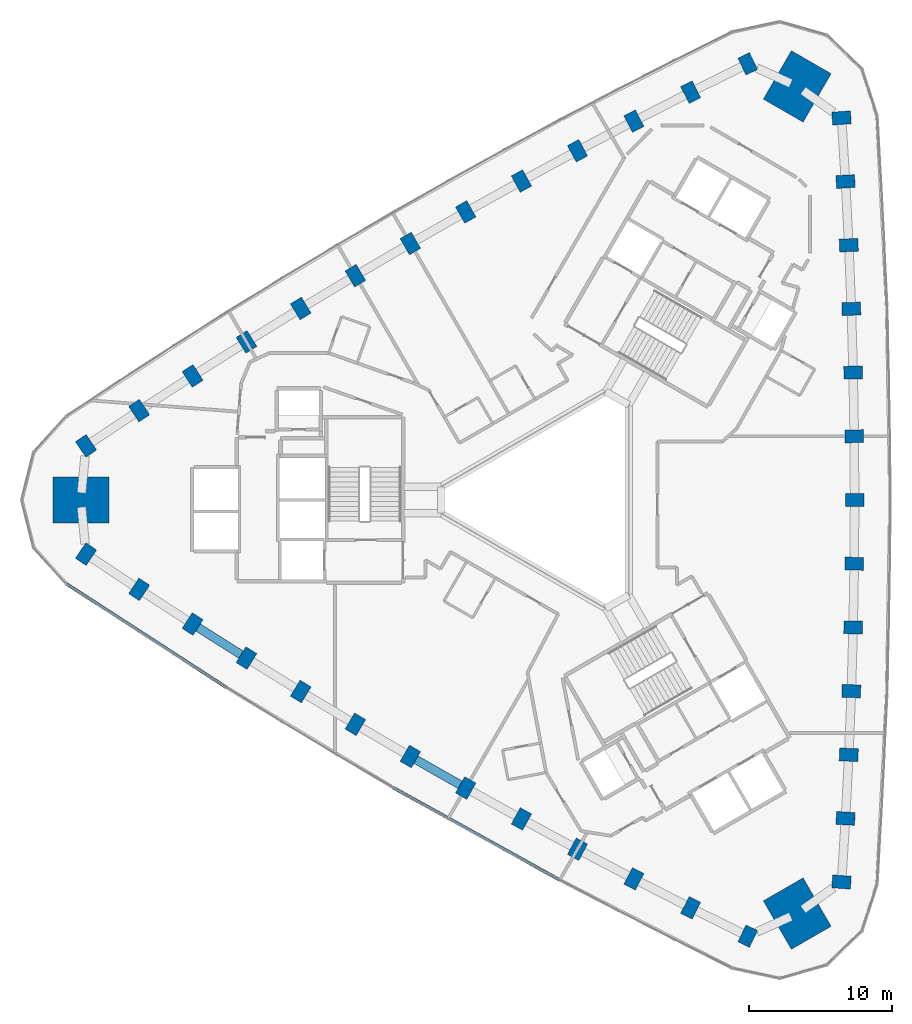
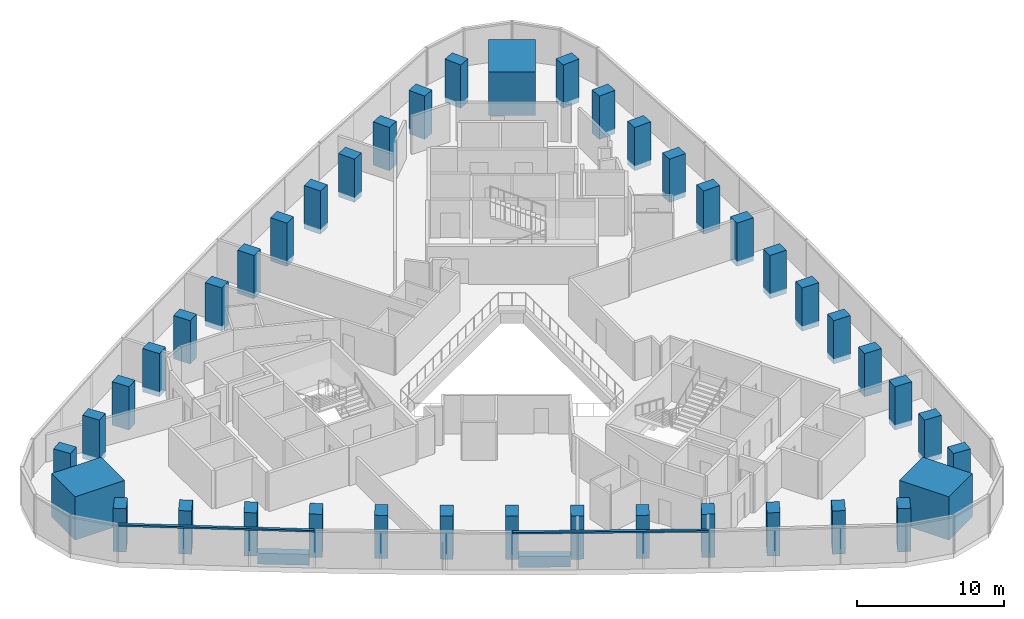
# One storey, part 1 of 12: 42 columns, 2 beams, 2 members, 1 element without a shape of its own.
"""IFC4 building model written with IfcOpenShell, lengths in metres."""

from ifc_helpers import new_model, si_unit, direction, frame, origin, origin_2d, place, context, subcontext, project, spatial, rectangle, extrude, material, material_profile, profile_set, type_object, element, aggregate, save


model = new_model("IFC4")

# Units and contexts
model_context = context("Model", 3, precision=1e-05, world=origin(), true_north=direction((0.0, 1.0)))
body_context = subcontext(model_context, "Body", "Model", "MODEL_VIEW")
ifc_project = project(units=[si_unit("LENGTHUNIT", "METRE"), si_unit("AREAUNIT", "SQUARE_METRE"), si_unit("VOLUMEUNIT", "CUBIC_METRE"), si_unit("PLANEANGLEUNIT", "RADIAN"), si_unit("MASSUNIT", "GRAM", prefix="KILO")], contexts=[model_context])

# Site, building, storey
site_placement = place(None, origin())
site = spatial("IfcSite", under=ifc_project, at=site_placement, CompositionType="ELEMENT")
building_placement = place(site_placement, origin())
building = spatial("IfcBuilding", under=site, at=building_placement, Name="Tamra Quay Hotel Tower", CompositionType="ELEMENT")
storey_placement = place(building_placement, frame((0.0, 0.0, 104.60009765625)))
storey = spatial("IfcBuildingStorey", under=building, at=storey_placement, Name="L25", CompositionType="ELEMENT", Elevation=104.60009765625)

# Columns
ifc_material_1 = material(Name="Concrete M70", Category="concrete")
ifc_material_profile_1 = material_profile(ifc_material_1, rectangle(XDim=1.300048828125, YDim=0.89990234375, at=origin_2d()), Name="COLUMN RC 900x1300 Z2")
ifc_profile_set_1 = profile_set([ifc_material_profile_1], Name="Concrete M70")
column_type_1 = type_object("IfcColumnType", Name="COLUMN RC 900x1300 Z2", PredefinedType="COLUMN", material=ifc_profile_set_1)
for number, where, z_axis, x_axis, name in (
    (1, (19.746337890625, -26.648681640625, -0.425048828125), (0.0, 0.0, 1.0), (-0.997682497858, 0.068041409955, 0.0), "COL-C2E01-L25"),
    (2, (20.02490234375, -22.212158203125, -0.425048828125), (0.0, 0.0, 1.0), (-0.998368034899, 0.057107502941, 0.0), "COL-C2E02-L25"),
    (3, (20.2529296875, -17.773193359375, -0.425048828125), (0.0, 0.0, 1.0), (-0.99895467426, 0.04571169187, 0.0), "COL-C2E03-L25"),
    (4, (20.430419921875, -13.331787109375, -0.425048828125), (0.0, 0.0, 1.0), (-0.999411600314, 0.034299462929, 0.0), "COL-C2E04-L25"),
    (5, (20.557373046875, -8.888916015625, -0.425048828125), (0.0, 0.0, 1.0), (-0.999738355025, 0.022874035338, 0.0), "COL-C2E05-L25"),
    (6, (20.633544921875, -4.44482421875, -0.425048828125), (0.0, 0.0, 1.0), (-0.999934576635, 0.01143863846, 0.0), "COL-C2E06-L25"),
    (7, (20.658935546875, 0.0, -0.425048828125), (0.0, 0.0, 1.0), (1.0, 0.0, 0.0), "COL-C2E07-L25"),
    (8, (20.633544921875, 4.44482421875, -0.425048828125), (0.0, 0.0, 1.0), (0.999934576635, 0.01143863846, 0.0), "COL-C2E08-L25"),
    (9, (20.557373046875, 8.888916015625, -0.425048828125), (0.0, 0.0, 1.0), (0.999738355025, 0.022874035338, 0.0), "COL-C2E09-L25"),
    (10, (20.430419921875, 13.331787109375, -0.425048828125), (0.0, 0.0, 1.0), (0.999411600314, 0.034299462929, 0.0), "COL-C2E10-L25"),
    (11, (20.2529296875, 17.773193359375, -0.425048828125), (0.0, 0.0, 1.0), (0.99895467426, 0.04571169187, 0.0), "COL-C2E11-L25"),
    (12, (20.02490234375, 22.212158203125, -0.425048828125), (0.0, 0.0, 1.0), (0.998368034899, 0.057107502941, 0.0), "COL-C2E12-L25"),
    (13, (19.746337890625, 26.648681640625, -0.425048828125), (0.0, 0.0, 1.0), (0.997682497858, 0.068041409955, 0.0), "COL-C2E13-L25"),
    (14, (13.205078125, 30.425048828125, -0.425048828125), (0.0, 0.0, 1.0), (-0.439915659398, 0.898039093033, 0.0), "COL-C2NW01-L25"),
    (15, (9.223876953125, 28.4482421875, -0.425048828125), (0.0, 0.0, 1.0), (-0.449727469156, 0.893165832019, 0.0), "COL-C2NW02-L25"),
    (16, (5.265625, 26.42626953125, -0.425048828125), (0.0, 0.0, 1.0), (-0.459889850721, 0.887975971074, 0.0), "COL-C2NW03-L25"),
    (17, (1.33056640625, 24.359375, -0.425048828125), (0.0, 0.0, 1.0), (-0.470001593924, 0.882665566174, 0.0), "COL-C2NW04-L25"),
    (18, (-2.580810546875, 22.247802734375, -0.425048828125), (0.0, 0.0, 1.0), (-0.480059681822, 0.877235830258, 0.0), "COL-C2NW05-L25"),
    (19, (-6.467529296875, 20.091552734375, -0.425048828125), (0.0, 0.0, 1.0), (-0.490061136827, 0.871688064718, 0.0), "COL-C2NW06-L25"),
    (20, (-10.32958984375, 17.89111328125, -0.425048828125), (0.0, 0.0, 1.0), (-0.5, 0.866025403784, 0.0), "COL-C2NW07-L25"),
    (21, (-14.166015625, 15.646728515625, -0.425048828125), (0.0, 0.0, 1.0), (-0.509873439808, 0.860249426259, 0.0), "COL-C2NW08-L25"),
    (22, (-17.976806640625, 13.35888671875, -0.425048828125), (0.0, 0.0, 1.0), (-0.519678673202, 0.85436179492, 0.0), "COL-C2NW09-L25"),
    (23, (-21.760986328125, 11.02734375, -0.425048828125), (0.0, 0.0, 1.0), (-0.52941000639, 0.848366103245, 0.0), "COL-C2NW10-L25"),
    (24, (-25.5185546875, 8.653076171875, -0.425048828125), (0.0, 0.0, 1.0), (-0.539064823539, 0.842264279204, 0.0), "COL-C2NW11-L25"),
    (25, (-29.248779296875, 6.23583984375, -0.425048828125), (0.0, 0.0, 1.0), (-0.548640565743, 0.836058329078, 0.0), "COL-C2NW12-L25"),
    (26, (-32.951416015625, 3.776611328125, -0.425048828125), (0.0, 0.0, 1.0), (-0.557766838459, 0.829997683078, 0.0), "COL-C2NW13-L25"),
    (27, (-32.951416015625, -3.776611328125, -0.425048828125), (0.0, 0.0, 1.0), (0.557766838459, 0.829997683078, 0.0), "COL-C2SW01-L25"),
    (28, (-29.248779296875, -6.23583984375, -0.425048828125), (0.0, 0.0, 1.0), (0.548640565743, 0.836058329078, 0.0), "COL-C2SW02-L25"),
    (29, (-25.5185546875, -8.653076171875, -0.425048828125), (0.0, 0.0, 1.0), (0.539064823539, 0.842264279204, 0.0), "COL-C2SW03-L25"),
    (30, (-21.760986328125, -11.02734375, -0.425048828125), (0.0, 0.0, 1.0), (0.52941000639, 0.848366103245, 0.0), "COL-C2SW04-L25"),
    (31, (-17.976806640625, -13.35888671875, -0.425048828125), (0.0, 0.0, 1.0), (0.519678673202, 0.85436179492, 0.0), "COL-C2SW05-L25"),
    (32, (-14.166015625, -15.646728515625, -0.425048828125), (0.0, 0.0, 1.0), (0.509873439808, 0.860249426259, 0.0), "COL-C2SW06-L25"),
    (33, (-10.32958984375, -17.89111328125, -0.425048828125), (0.0, 0.0, 1.0), (0.5, 0.866025403784, 0.0), "COL-C2SW07-L25"),
    (34, (-6.467529296875, -20.091552734375, -0.425048828125), (0.0, 0.0, 1.0), (0.490061136827, 0.871688064718, 0.0), "COL-C2SW08-L25"),
    (35, (-2.580810546875, -22.247802734375, -0.425048828125), (0.0, 0.0, 1.0), (0.480059681822, 0.877235830258, 0.0), "COL-C2SW09-L25"),
    (36, (1.33056640625, -24.359375, -0.425048828125), (0.0, 0.0, 1.0), (0.470001593924, 0.882665566174, 0.0), "COL-C2SW10-L25"),
    (37, (5.265625, -26.42626953125, -0.425048828125), (0.0, 0.0, 1.0), (0.459889850721, 0.887975971074, 0.0), "COL-C2SW11-L25"),
    (38, (9.223876953125, -28.4482421875, -0.425048828125), (0.0, 0.0, 1.0), (0.449727469156, 0.893165832019, 0.0), "COL-C2SW12-L25"),
    (39, (13.205078125, -30.425048828125, -0.425048828125), (0.0, 0.0, 1.0), (0.439915659398, 0.898039093033, 0.0), "COL-C2SW13-L25"),
):
    element("IfcColumn", number, at=place(storey_placement, frame(where, z_axis=z_axis, x_axis=x_axis)), inside=storey, type_object=column_type_1, Name=name, PredefinedType="COLUMN", context=body_context, shape_type="SweptSolid", body=[
        extrude(rectangle(XDim=1.300048828125, YDim=0.89990234375, at=origin_2d()), origin(), (0.0, 0.0, 1.0), 3.599853515625),
    ])
ifc_material_profile_2 = material_profile(ifc_material_1, rectangle(XDim=3.89990234375, YDim=3.199951171875, at=origin_2d()), Name="MEGA COLUMN RC 3200x3900 Z2")
ifc_profile_set_2 = profile_set([ifc_material_profile_2], Name="Concrete M70")
column_type_2 = type_object("IfcColumnType", Name="MEGA COLUMN RC 3200x3900 Z2", PredefinedType="COLUMN", material=ifc_profile_set_2)
for number, where, z_axis, x_axis, name in (
    (40, (16.65673828125, 28.8505859375, -0.425048828125), (0.0, 0.0, 1.0), (0.5, 0.866025403784, 0.0), "COL-M2NE-L25"),
    (41, (-33.313720703125, 0.0, -0.425048828125), (0.0, 0.0, 1.0), (1.0, 0.0, 0.0), "COL-M2W-L25"),
    (42, (16.65673828125, -28.8505859375, -0.425048828125), (0.0, 0.0, 1.0), (-0.5, 0.866025403784, 0.0), "COL-M2SE-L25"),
):
    element("IfcColumn", number, at=place(storey_placement, frame(where, z_axis=z_axis, x_axis=x_axis)), inside=storey, type_object=column_type_2, Name=name, PredefinedType="COLUMN", context=body_context, shape_type="SweptSolid", body=[
        extrude(rectangle(XDim=3.89990234375, YDim=3.199951171875, at=origin_2d()), origin(), (0.0, 0.0, 1.0), 3.599853515625),
    ])

# Beams
ifc_material_2 = material(Name="Concrete M60", Category="concrete")
ifc_material_profile_3 = material_profile(ifc_material_2, rectangle(XDim=0.60009765625, YDim=0.89990234375, at=origin_2d()), Name="SPANDREL BEAM RC 600x900")
ifc_profile_set_3 = profile_set([ifc_material_profile_3], Name="Concrete M60")
beam_type = type_object("IfcBeamType", Name="SPANDREL BEAM RC 600x900", PredefinedType="SPANDREL", material=ifc_profile_set_3)
for number, where, z_axis, x_axis, name in (
    (43, (-25.13818359375, -8.893310546875, -0.875), (0.845333394052, -0.534239134566, 0.0), (0.534239134566, 0.845333394052, 0.0), "BM-SP2-030-L25"),
    (44, (-9.9384765625, -18.114013671875, -0.875), (0.868869699181, -0.495040852704, 0.0), (0.495040852704, 0.868869699181, 0.0), "BM-SP2-034-L25"),
):
    element("IfcBeam", number, at=place(storey_placement, frame(where, z_axis=z_axis, x_axis=x_axis)), inside=storey, type_object=beam_type, Name=name, PredefinedType="SPANDREL", context=body_context, shape_type="SweptSolid", body=[
        extrude(rectangle(XDim=0.60009765625, YDim=0.89990234375, at=origin_2d()), origin(), (0.0, 0.0, 1.0), 3.544921875),
    ])

# Curtain wall, members
ifc_material_3 = material(Name="Aluminium 6063 anodised dark grey", Category="aluminium")
curtain_wall_type = type_object("IfcCurtainWallType", Name="CW3 CURTAIN WALL", PredefinedType="NOTDEFINED", material=ifc_material_3)
curtain_wall_placement = place(storey_placement, origin())
curtain_wall = element("IfcCurtainWall", 45, at=curtain_wall_placement, inside=storey, type_object=curtain_wall_type, Name="CW3 south-west face L25", PredefinedType="NOTDEFINED")
ifc_material_profile_4 = material_profile(ifc_material_3, rectangle(XDim=0.219970703125, YDim=0.139892578125, at=origin_2d()), Name="TRANSOM 220X140")
ifc_profile_set_4 = profile_set([ifc_material_profile_4], Name="Aluminium 6063 anodised dark grey")
member_type = type_object("IfcMemberType", Name="TRANSOM CW3 Z2", PredefinedType="USERDEFINED", material=ifc_profile_set_4)
member_1_placement = place(storey_placement, frame((-34.29638671875, -5.867431640625, 3.10498046875), z_axis=(0.8392271939, -0.543780945804, 0.0), x_axis=(0.543780945804, 0.8392271939, 0.0)))
member_1 = element("IfcMember", 46, at=member_1_placement, type_object=member_type, Name="CW3 transom L25.SW.1", ObjectType="TRANSOM", PredefinedType="USERDEFINED", context=body_context, shape_type="SweptSolid", body=[
    extrude(rectangle(XDim=0.219970703125, YDim=0.139892578125, at=origin_2d()), origin(), (0.0, 0.0, 1.0), 13.318115234375),
])
member_2_placement = place(storey_placement, frame((-11.529052734375, -20.068603515625, 3.10498046875), z_axis=(0.874459721019, -0.485098130605, 0.0), x_axis=(0.485098130605, 0.874459721019, 0.0)))
member_2 = element("IfcMember", 47, at=member_2_placement, type_object=member_type, Name="CW3 transom L25.SW.7", ObjectType="TRANSOM", PredefinedType="USERDEFINED", context=body_context, shape_type="SweptSolid", body=[
    extrude(rectangle(XDim=0.219970703125, YDim=0.139892578125, at=origin_2d()), origin(), (0.0, 0.0, 1.0), 13.3193359375),
])
aggregate(curtain_wall, [member_1, member_2])

save(model, "model.ifc")
